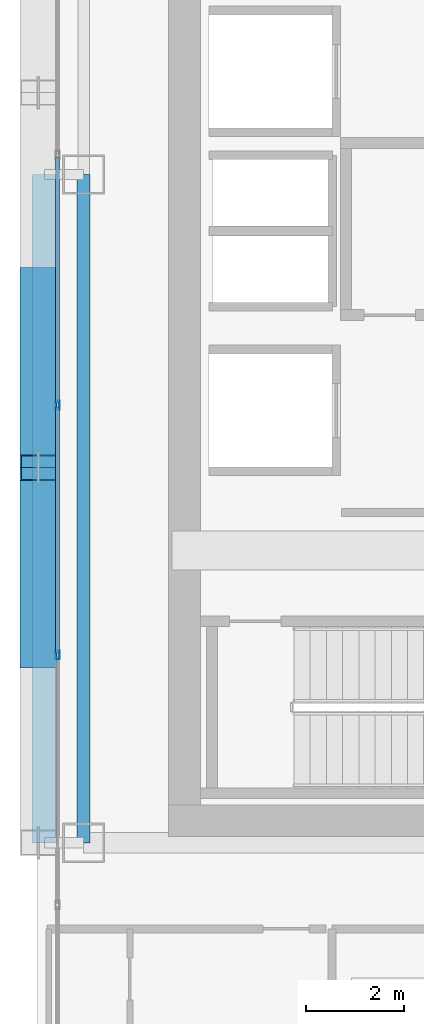
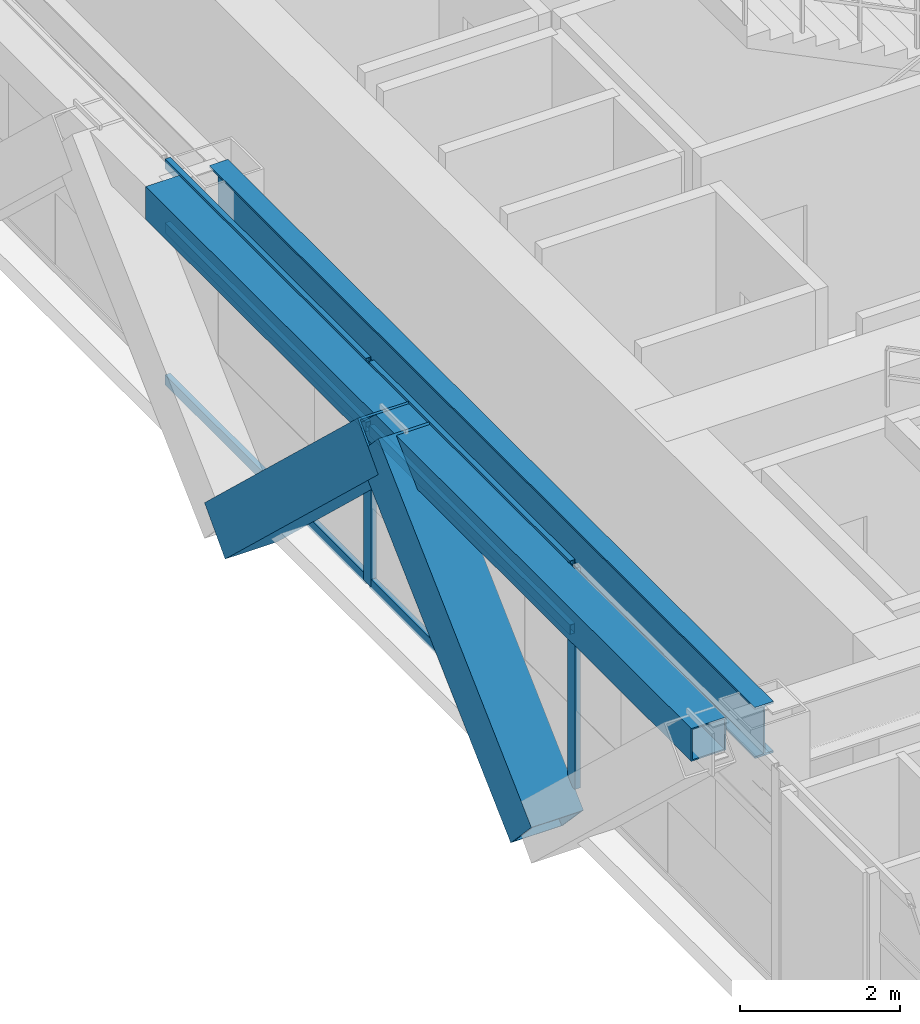
# One storey, part 6 of 35: 10 members, 2 beams, 1 element without a shape of its own.
"""IFC4 building model written with IfcOpenShell, lengths in metres."""

import ifcopenshell
import ifcopenshell.guid

model = None  # the IFC model being written
_history = None  # IfcOwnerHistory: only IFC2X3 demands one
_inside = {}  # id of a spatial element -> (the spatial element, [elements in it])
_under = {}  # id of a project, library or spatial element -> (it, [spatial elements below it])
_declared = {}  # id of a project -> (the project, [libraries it declares])
_typed = {}  # id of a type object -> (the type object, [elements of that type])
_made_of = {}  # id of a material, layer set ... -> (it, [elements and type objects made of it])


def new_model(schema):
    """Start an empty IFC model of exactly this schema.

    Asked for "IFC4X3", IfcOpenShell would pick the latest addendum, in which some entities
    have other attributes; the version numbers below select the first issue.
    IFC2X3 requires an IfcOwnerHistory on every rooted entity: one is made here for all.
    """
    global model, _history
    if schema == "IFC4X3":
        model = ifcopenshell.file(schema_version=(4, 3, 0, 0))
    else:
        model = ifcopenshell.file(schema=schema)
    _inside.clear()
    _under.clear()
    _declared.clear()
    _typed.clear()
    _made_of.clear()
    _history = None
    if model.schema == "IFC2X3":
        org = make("IfcOrganization", Name="unknown")
        user = make(
            "IfcPersonAndOrganization",
            ThePerson=make("IfcPerson", FamilyName="unknown"),
            TheOrganization=org,
        )
        app = make(
            "IfcApplication",
            ApplicationDeveloper=org,
            Version="unknown",
            ApplicationFullName="unknown",
            ApplicationIdentifier="unknown",
        )
        _history = make(
            "IfcOwnerHistory",
            OwningUser=user,
            OwningApplication=app,
            ChangeAction="ADDED",
            CreationDate=0,
        )
    return model


def make(cls, **values):
    """One entity of the class cls with the attributes given. An attribute that is None is left unset."""
    return model.create_entity(
        cls, **{name: value for name, value in values.items() if value is not None}
    )


def rooted(cls, **values):
    """An entity with a GlobalId (a new one), such as an element, a storey or a relation."""
    return make(cls, GlobalId=ifcopenshell.guid.new(), OwnerHistory=_history, **values)


def si_unit(unit_type, name, prefix=None):
    """IfcSIUnit, for example si_unit("LENGTHUNIT", "METRE", prefix="MILLI")."""
    return make("IfcSIUnit", UnitType=unit_type, Prefix=prefix, Name=name)


def assignment(units):
    """IfcUnitAssignment: the units of a project."""
    return None if units is None else make("IfcUnitAssignment", Units=units)


def point(xyz):
    """IfcCartesianPoint."""
    return None if xyz is None else make("IfcCartesianPoint", Coordinates=xyz)


def direction(xyz):
    """IfcDirection."""
    return None if xyz is None else make("IfcDirection", DirectionRatios=xyz)


def frame(location, z_axis=None, x_axis=None):
    """IfcAxis2Placement3D, a coordinate frame: its origin and axes. An axis left out is left unset."""
    return make(
        "IfcAxis2Placement3D",
        Location=point(location),
        Axis=direction(z_axis),
        RefDirection=direction(x_axis),
    )


def frame_2d(location, x_axis=None):
    """IfcAxis2Placement2D, a coordinate frame in the plane: its origin and x axis."""
    return make(
        "IfcAxis2Placement2D", Location=point(location), RefDirection=direction(x_axis)
    )


def origin():
    """The frame at (0, 0, 0) with its axes left unset."""
    return frame((0.0, 0.0, 0.0))


def origin_2d():
    """The frame at (0, 0) in the plane with its x axis left unset."""
    return frame_2d((0.0, 0.0))


def place(relative_to, where):
    """IfcLocalPlacement: puts the frame where relative to a parent placement (None: the world)."""
    return make(
        "IfcLocalPlacement", PlacementRelTo=relative_to, RelativePlacement=where
    )


def context(
    kind, dimensions, precision=None, world=None, true_north=None, identifier=None
):
    """IfcGeometricRepresentationContext, for example the 3D "Model" context."""
    return make(
        "IfcGeometricRepresentationContext",
        ContextIdentifier=identifier,
        ContextType=kind,
        CoordinateSpaceDimension=dimensions,
        Precision=precision,
        WorldCoordinateSystem=world,
        TrueNorth=true_north,
    )


def subcontext(parent, identifier, kind, view, scale=None):
    """IfcGeometricRepresentationSubContext, for example "Body" below "Model"."""
    return make(
        "IfcGeometricRepresentationSubContext",
        ContextIdentifier=identifier,
        ContextType=kind,
        ParentContext=parent,
        TargetScale=scale,
        TargetView=view,
    )


def project(units=None, contexts=None):
    """IfcProject with its units and contexts."""
    return rooted(
        "IfcProject",
        Name="project",
        RepresentationContexts=contexts,
        UnitsInContext=assignment(units),
    )


def spatial(cls, under=None, at=None, **own):
    """A site, building, storey or space (cls), placed at a placement, below another one or the project."""
    s = rooted(cls, ObjectPlacement=at, **own)
    if under is not None:
        _under.setdefault(under.id(), (under, []))[1].append(s)
    return s


def profile(cls, at=None, kind="AREA", **sizes):
    """A parametric profile (cls). Its sizes go by their IFC names, for example OverallWidth=200.0."""
    return make(cls, ProfileType=kind, Position=at, **sizes)


def hollow_rectangle(**sizes):
    """IfcRectangleHollowProfileDef."""
    return profile("IfcRectangleHollowProfileDef", **sizes)


def i_section(**sizes):
    """IfcIShapeProfileDef."""
    return profile("IfcIShapeProfileDef", **sizes)


def extrude(swept, where, along, depth):
    """IfcExtrudedAreaSolid: the profile swept, set in the frame where, extruded along a direction by depth."""
    return make(
        "IfcExtrudedAreaSolid",
        SweptArea=swept,
        Position=where,
        ExtrudedDirection=direction(along),
        Depth=depth,
    )


def shape(context_of_items, identifier, shape_type, items):
    """IfcShapeRepresentation: the items that make up one representation, for example the "Body"."""
    return make(
        "IfcShapeRepresentation",
        ContextOfItems=context_of_items,
        RepresentationIdentifier=identifier,
        RepresentationType=shape_type,
        Items=items,
    )


def source(mapping_origin, context_of_items, identifier, shape_type, items):
    """IfcRepresentationMap: a shape defined once, which mapped items show again and again."""
    return make(
        "IfcRepresentationMap",
        MappingOrigin=mapping_origin,
        MappedRepresentation=shape(context_of_items, identifier, shape_type, items),
    )


def transform(
    local_origin,
    x_axis=None,
    y_axis=None,
    z_axis=None,
    scale=None,
    scale2=None,
    scale3=None,
    uniform=True,
):
    """IfcCartesianTransformationOperator3D, or its non-uniform kind. x_axis, y_axis, z_axis: its Axis1, 2, 3."""
    if uniform:
        return make(
            "IfcCartesianTransformationOperator3D",
            Axis1=direction(x_axis),
            Axis2=direction(y_axis),
            LocalOrigin=point(local_origin),
            Scale=scale,
            Axis3=direction(z_axis),
        )
    return make(
        "IfcCartesianTransformationOperator3DnonUniform",
        Axis1=direction(x_axis),
        Axis2=direction(y_axis),
        LocalOrigin=point(local_origin),
        Scale=scale,
        Axis3=direction(z_axis),
        Scale2=scale2,
        Scale3=scale3,
    )


def mapped(mapping_source, mapping_target):
    """IfcMappedItem: shows the shape of a source again, moved by a transform."""
    return make(
        "IfcMappedItem", MappingSource=mapping_source, MappingTarget=mapping_target
    )


def material(Name=None, Category=None):
    """IfcMaterial."""
    return make("IfcMaterial", Name=Name, Category=Category)


def layer(
    of_material, thickness, ventilated=None, Name=None, Category=None, Priority=None
):
    """IfcMaterialLayer: one layer of a wall or slab, of a material (None: an air gap)."""
    return make(
        "IfcMaterialLayer",
        Material=of_material,
        LayerThickness=thickness,
        IsVentilated=ventilated,
        Name=Name,
        Category=Category,
        Priority=Priority,
    )


def layer_set(layers, Name=None):
    """IfcMaterialLayerSet."""
    return make("IfcMaterialLayerSet", MaterialLayers=layers, LayerSetName=Name)


def material_profile(
    of_material, cross_section, Name=None, Category=None, Priority=None
):
    """IfcMaterialProfile: a cross section and its material."""
    return make(
        "IfcMaterialProfile",
        Name=Name,
        Material=of_material,
        Profile=cross_section,
        Priority=Priority,
        Category=Category,
    )


def profile_set(profiles, Name=None, composite=None):
    """IfcMaterialProfileSet."""
    return make(
        "IfcMaterialProfileSet",
        Name=Name,
        MaterialProfiles=profiles,
        CompositeProfile=composite,
    )


def made_of(thing, what):
    """Note that an element or type object is made of a material, layer set ...; save() writes the relation."""
    if what is not None:
        _made_of.setdefault(what.id(), (what, []))[1].append(thing)
    return thing


def type_object(cls, material=None, **own):
    """A type object (cls), such as IfcWallType, which elements share."""
    return made_of(rooted(cls, **own), material)


def element(
    cls,
    number,
    at=None,
    inside=None,
    cuts=None,
    type_object=None,
    material=None,
    context=None,
    identifier="Body",
    shape_type=None,
    held_by="IfcProductDefinitionShape",
    body=None,
    shapes=None,
    **own,
):
    """One element of the class cls, such as IfcWall. Its Tag is "e" and its number.

    at: its placement. inside: the storey or other place that contains it. cuts: it is an
    opening in that element (IfcRelVoidsElement). A single representation is given by context,
    identifier, shape_type and body (its items); several are given by shapes. held_by: the class
    of the entity that holds the representations. save() writes the other relations.
    """
    e = rooted(cls, Tag="e%d" % number, ObjectPlacement=at, **own)
    if body is not None:
        shapes = [shape(context, identifier, shape_type, body)]
    if shapes is not None:
        e.Representation = make(held_by, Representations=shapes)
    if inside is not None:
        _inside.setdefault(inside.id(), (inside, []))[1].append(e)
    if cuts is not None:
        rooted(
            "IfcRelVoidsElement", RelatingBuildingElement=cuts, RelatedOpeningElement=e
        )
    if type_object is not None:
        _typed.setdefault(type_object.id(), (type_object, []))[1].append(e)
    return made_of(e, material)


def aggregate(whole, parts):
    """IfcRelAggregates: a whole, such as a stair, and the parts it consists of."""
    return rooted("IfcRelAggregates", RelatingObject=whole, RelatedObjects=parts)


def save(model, path):
    """Write the relations noted so far, then the file.

    IfcRelAggregates (storeys below a building ...), IfcRelContainedInSpatialStructure (elements
    in a storey), IfcRelDefinesByType, IfcRelAssociatesMaterial and IfcRelDeclares: one each for
    every whole, place, type object, material and project.
    """
    for whole, parts in _under.values():
        aggregate(whole, parts)
    for where, things in _inside.values():
        rooted(
            "IfcRelContainedInSpatialStructure",
            RelatedElements=things,
            RelatingStructure=where,
        )
    for kind, things in _typed.values():
        rooted("IfcRelDefinesByType", RelatedObjects=things, RelatingType=kind)
    for what, things in _made_of.values():
        rooted("IfcRelAssociatesMaterial", RelatedObjects=things, RelatingMaterial=what)
    for by, libraries in _declared.values():
        rooted("IfcRelDeclares", RelatingContext=by, RelatedDefinitions=libraries)
    model.write(path)


model = new_model("IFC4")

# Units and contexts
model_context = context("Model", 3, precision=1e-05, world=origin(), true_north=direction((0.0, 1.0)))
body_context = subcontext(model_context, "Body", "Model", "MODEL_VIEW")
ifc_project = project(units=[si_unit("LENGTHUNIT", "METRE"), si_unit("AREAUNIT", "SQUARE_METRE"), si_unit("VOLUMEUNIT", "CUBIC_METRE"), si_unit("PLANEANGLEUNIT", "RADIAN"), si_unit("MASSUNIT", "GRAM", prefix="KILO")], contexts=[model_context])

# Site, building, storey
site_placement = place(None, origin())
site = spatial("IfcSite", under=ifc_project, at=site_placement, CompositionType="ELEMENT")
building_placement = place(site_placement, origin())
building = spatial("IfcBuilding", under=site, at=building_placement, Name="Ocotamira Hotel", CompositionType="ELEMENT")
storey_placement = place(building_placement, frame((0.0, 0.0, 144.0)))
storey = spatial("IfcBuildingStorey", under=building, at=storey_placement, Name="L36", CompositionType="ELEMENT", Elevation=144.0)

# Beams
ifc_material_1 = material(Name="Steel ASTM A992 Grade 50", Category="steel")
ifc_material_profile_1 = material_profile(ifc_material_1, i_section(OverallWidth=0.26611328125, OverallDepth=0.779052734375, WebThickness=0.0166015625, FlangeThickness=0.030029296875, FilletRadius=0.01806640625, at=origin_2d()), Name="W30X148")
ifc_profile_set_1 = profile_set([ifc_material_profile_1], Name="Steel ASTM A992 Grade 50")
beam_type_1 = type_object("IfcBeamType", Name="BM-GIRD-W30X148", PredefinedType="BEAM", material=ifc_profile_set_1)
shared_shape_1 = source(origin(), body_context, "Body", "SweptSolid", [
    extrude(i_section(OverallWidth=0.26611328125, OverallDepth=0.779052734375, WebThickness=0.0166015625, FlangeThickness=0.030029296875, FilletRadius=0.01806640625, at=origin_2d()), origin(), (0.0, 0.0, 1.0), 13.599853515625),
])
beam_1_placement = place(storey_placement, frame((8.949951171875, 14.550048828125, 2.970458984375), z_axis=(0.0, 1.0, 0.0), x_axis=(-1.0, 0.0, 0.0)))
element("IfcBeam", 1, at=beam_1_placement, inside=storey, type_object=beam_type_1, Name="L36 Beam X8.95 Y14.55-28.15", PredefinedType="BEAM", context=body_context, shape_type="MappedRepresentation", body=[
    mapped(shared_shape_1, transform((0.0, 0.0, 0.0), scale=1.0)),
])
ifc_material_2 = material(Name="Steel ASTM A500 Grade C", Category="steel")
ifc_material_profile_2 = material_profile(ifc_material_2, hollow_rectangle(XDim=0.5, YDim=0.5, WallThickness=0.02001953125, at=origin_2d()), Name="HSS500X500X20")
ifc_profile_set_2 = profile_set([ifc_material_profile_2], Name="Steel ASTM A500 Grade C")
beam_type_2 = type_object("IfcBeamType", Name="BM-SPAN-HSS500", PredefinedType="USERDEFINED", material=ifc_profile_set_2)
shared_shape_2 = source(origin(), body_context, "Body", "SweptSolid", [
    extrude(hollow_rectangle(XDim=0.5, YDim=0.5, WallThickness=0.02001953125, at=origin_2d()), origin(), (0.0, 0.0, 1.0), 13.599853515625),
])
beam_2_placement = place(storey_placement, frame((8.14990234375, 14.550048828125, 3.110107421875), z_axis=(0.0, 1.0, 0.0), x_axis=(-1.0, 0.0, 0.0)))
element("IfcBeam", 2, at=beam_2_placement, inside=storey, type_object=beam_type_2, Name="L36 Edge Spandrel W Y14.55-28.15", ObjectType="SPANDREL", PredefinedType="USERDEFINED", context=body_context, shape_type="MappedRepresentation", body=[
    mapped(shared_shape_2, transform((0.0, 0.0, 0.0), scale=1.0)),
])

# Members
ifc_material_3 = material(Name="Pale-metal coated steel ASTM A913 Grade 65", Category="steel")
ifc_material_profile_3 = material_profile(ifc_material_3, hollow_rectangle(XDim=0.75, YDim=0.75, WallThickness=0.028076171875, at=origin_2d()), Name="BOX750X750X28")
ifc_profile_set_3 = profile_set([ifc_material_profile_3], Name="Pale-metal coated steel ASTM A913 Grade 65")
member_type_1 = type_object("IfcMemberType", Name="MEM-EXO-BOX750", PredefinedType="BRACE", material=ifc_profile_set_3)
shared_shape_3 = source(origin(), body_context, "Body", "SweptSolid", [
    extrude(hollow_rectangle(XDim=0.75, YDim=0.75, WallThickness=0.028076171875, at=origin_2d()), origin(), (0.0, 0.0, 1.0), 5.24658203125),
])
for number, where, z_axis, x_axis, name in (
    (3, (8.030029296875, 18.36669921875, -0.489990234375), (0.0, 0.727442733726, 0.686168397078), (-1.0, 0.0, 0.0), "L36 Exoskeleton Diagrid W0.2"),
    (4, (8.030029296875, 26.0, -0.489990234375), (0.0, -0.727442733726, 0.686168397078), (1.0, 0.0, 0.0), "L36 Exoskeleton Diagrid W1.1"),
):
    element("IfcMember", number, at=place(storey_placement, frame(where, z_axis=z_axis, x_axis=x_axis)), inside=storey, type_object=member_type_1, Name=name, PredefinedType="BRACE", context=body_context, shape_type="MappedRepresentation", body=[
        mapped(shared_shape_3, transform((0.0, 0.0, 0.0), scale=1.0)),
    ])

# Curtain wall, members
ifc_material_4 = material(Name="Anodised pale-metal aluminium and solar glass", Category="aluminium")
ifc_layer = layer(ifc_material_4, 0.179931640625)
ifc_layer_set = layer_set([ifc_layer], Name="Anodised pale-metal aluminium and solar glass")
curtain_wall_type = type_object("IfcCurtainWallType", Name="CW-SYS3-Z2", PredefinedType="NOTDEFINED", material=ifc_layer_set)
curtain_wall_placement = place(storey_placement, origin())
curtain_wall = element("IfcCurtainWall", 5, at=curtain_wall_placement, inside=storey, type_object=curtain_wall_type, Name="L36 Curtain Wall CW-3 CW-L36-W", PredefinedType="NOTDEFINED")
ifc_material_5 = material(Name="Anodised pale-metal aluminium 6063-T6", Category="aluminium")
ifc_material_profile_4 = material_profile(ifc_material_5, hollow_rectangle(XDim=0.074951171875, YDim=0.14990234375, WallThickness=0.006103515625, at=origin_2d()), Name="HSS150X75X6")
ifc_profile_set_4 = profile_set([ifc_material_profile_4], Name="Anodised pale-metal aluminium 6063-T6")
member_type_2 = type_object("IfcMemberType", Name="CWT-150X75", PredefinedType="USERDEFINED", material=ifc_profile_set_4)
shared_shape_4 = source(origin(), body_context, "Body", "SweptSolid", [
    extrude(hollow_rectangle(XDim=0.074951171875, YDim=0.14990234375, WallThickness=0.006103515625, at=origin_2d()), origin(), (0.0, 0.0, 1.0), 5.005859375),
])
member_1_placement = place(storey_placement, frame((8.419921875, 18.411376953125, 0.03759765625), z_axis=(0.0, 1.0, 0.0), x_axis=(-1.0, 0.0, 0.0)))
member_1 = element("IfcMember", 6, at=member_1_placement, type_object=member_type_2, Name="CW-3 transom 3.1", ObjectType="TRANSOM", PredefinedType="USERDEFINED", context=body_context, shape_type="MappedRepresentation", body=[
    mapped(shared_shape_4, transform((0.0, 0.0, 0.0), scale=1.0)),
])
member_2_placement = place(storey_placement, frame((8.419921875, 18.411376953125, 2.35009765625), z_axis=(0.0, 1.0, 0.0), x_axis=(-1.0, 0.0, 0.0)))
member_2 = element("IfcMember", 7, at=member_2_placement, type_object=member_type_2, Name="CW-3 transom 3.2", ObjectType="TRANSOM", PredefinedType="USERDEFINED", context=body_context, shape_type="MappedRepresentation", body=[
    mapped(shared_shape_4, transform((0.0, 0.0, 0.0), scale=1.0)),
])
member_3_placement = place(storey_placement, frame((8.419921875, 18.411376953125, 3.322509765625), z_axis=(0.0, 1.0, 0.0), x_axis=(-1.0, 0.0, 0.0)))
member_3 = element("IfcMember", 8, at=member_3_placement, type_object=member_type_2, Name="CW-3 transom 3.3", ObjectType="TRANSOM", PredefinedType="USERDEFINED", context=body_context, shape_type="MappedRepresentation", body=[
    mapped(shared_shape_4, transform((0.0, 0.0, 0.0), scale=1.0)),
])
member_4_placement = place(storey_placement, frame((8.419921875, 23.4970703125, 0.03759765625), z_axis=(0.0, 1.0, 0.0), x_axis=(-1.0, 0.0, 0.0)))
member_4 = element("IfcMember", 9, at=member_4_placement, type_object=member_type_2, Name="CW-3 transom 4.1", ObjectType="TRANSOM", PredefinedType="USERDEFINED", context=body_context, shape_type="MappedRepresentation", body=[
    mapped(shared_shape_4, transform((0.0, 0.0, 0.0), scale=1.0)),
])
member_5_placement = place(storey_placement, frame((8.419921875, 23.4970703125, 2.35009765625), z_axis=(0.0, 1.0, 0.0), x_axis=(-1.0, 0.0, 0.0)))
member_5 = element("IfcMember", 10, at=member_5_placement, type_object=member_type_2, Name="CW-3 transom 4.2", ObjectType="TRANSOM", PredefinedType="USERDEFINED", context=body_context, shape_type="MappedRepresentation", body=[
    mapped(shared_shape_4, transform((0.0, 0.0, 0.0), scale=1.0)),
])
member_6_placement = place(storey_placement, frame((8.419921875, 23.4970703125, 3.322509765625), z_axis=(0.0, 1.0, 0.0), x_axis=(-1.0, 0.0, 0.0)))
member_6 = element("IfcMember", 11, at=member_6_placement, type_object=member_type_2, Name="CW-3 transom 4.3", ObjectType="TRANSOM", PredefinedType="USERDEFINED", context=body_context, shape_type="MappedRepresentation", body=[
    mapped(shared_shape_4, transform((0.0, 0.0, 0.0), scale=1.0)),
])
ifc_material_profile_5 = material_profile(ifc_material_5, hollow_rectangle(XDim=0.080078125, YDim=0.179931640625, WallThickness=0.006103515625, at=origin_2d()), Name="HSS180X80X6")
ifc_profile_set_5 = profile_set([ifc_material_profile_5], Name="Anodised pale-metal aluminium 6063-T6")
member_type_3 = type_object("IfcMemberType", Name="CWM-180X75", PredefinedType="MULLION", material=ifc_profile_set_5)
shared_shape_5 = source(origin(), body_context, "Body", "SweptSolid", [
    extrude(hollow_rectangle(XDim=0.080078125, YDim=0.179931640625, WallThickness=0.006103515625, at=origin_2d()), origin(), (0.0, 0.0, 1.0), 3.360107421875),
])
member_7_placement = place(storey_placement, frame((8.419921875, 18.371337890625, 0.0), z_axis=(0.0, 0.0, 1.0), x_axis=(-1.0, 0.0, 0.0)))
member_7 = element("IfcMember", 12, at=member_7_placement, type_object=member_type_3, Name="CW-3 mullion 3", PredefinedType="MULLION", context=body_context, shape_type="MappedRepresentation", body=[
    mapped(shared_shape_5, transform((0.0, 0.0, 0.0), scale=1.0)),
])
member_8_placement = place(storey_placement, frame((8.419921875, 23.45703125, 0.0), z_axis=(0.0, 0.0, 1.0), x_axis=(-1.0, 0.0, 0.0)))
member_8 = element("IfcMember", 13, at=member_8_placement, type_object=member_type_3, Name="CW-3 mullion 4", PredefinedType="MULLION", context=body_context, shape_type="MappedRepresentation", body=[
    mapped(shared_shape_5, transform((0.0, 0.0, 0.0), scale=1.0)),
])
aggregate(curtain_wall, [member_7, member_8, member_1, member_2, member_3, member_4, member_5, member_6])

save(model, "model.ifc")
